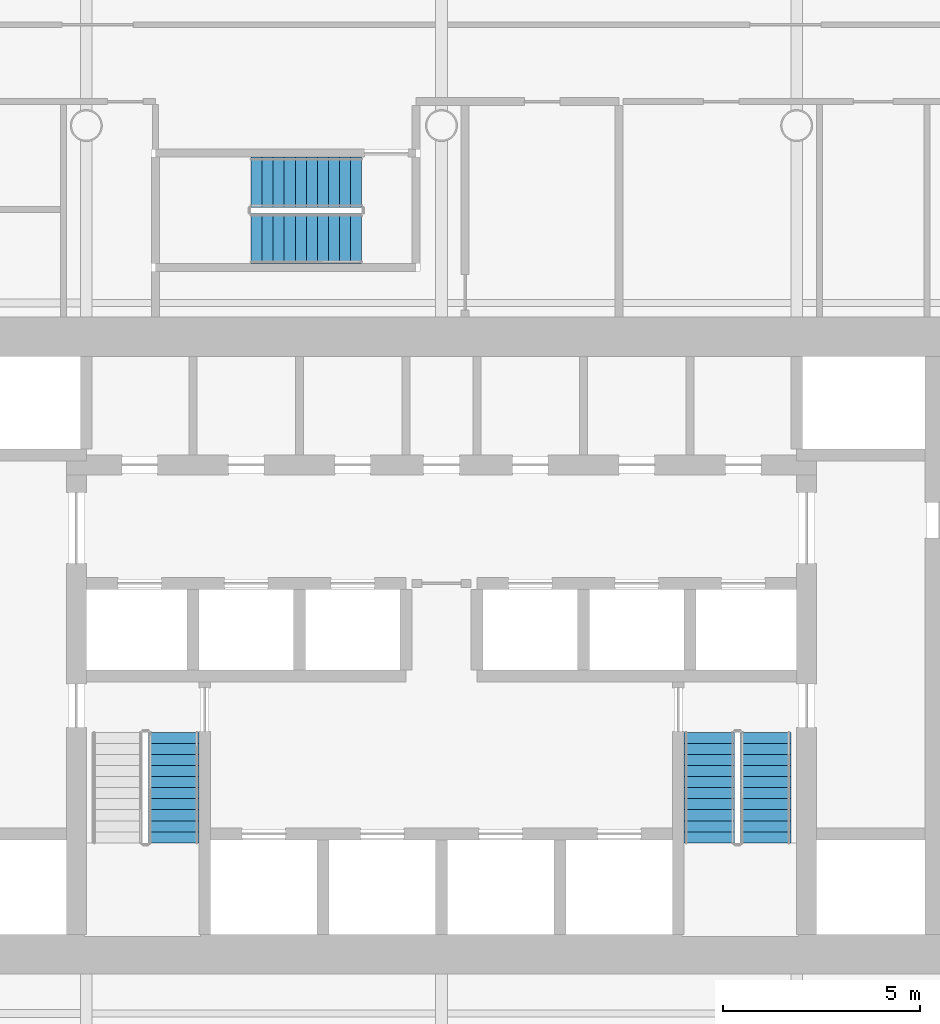
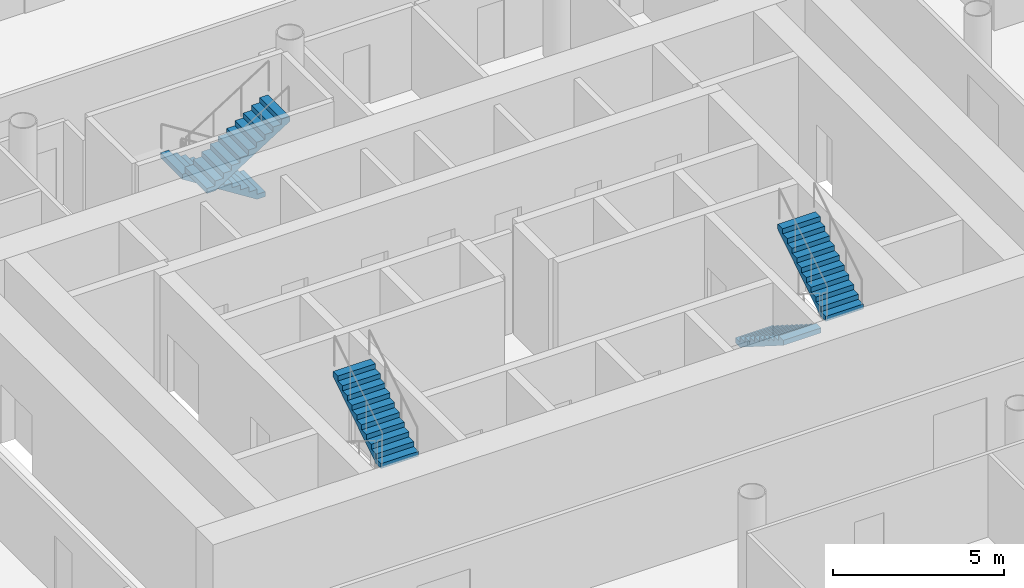
# One storey, part 15 of 20: 5 stair flights, 3 elements without a shape of their own.
"""IFC4 building model written with IfcOpenShell, lengths in metres."""

from ifc_helpers import new_model, si_unit, direction, frame, origin, place, context, subcontext, project, spatial, polyline, outline, extrude, material, type_object, element, aggregate, save


model = new_model("IFC4")

# Units and contexts
model_context = context("Model", 3, precision=1e-05, world=origin(), true_north=direction((0.0, 1.0)))
body_context = subcontext(model_context, "Body", "Model", "MODEL_VIEW")
ifc_project = project(units=[si_unit("LENGTHUNIT", "METRE"), si_unit("AREAUNIT", "SQUARE_METRE"), si_unit("VOLUMEUNIT", "CUBIC_METRE"), si_unit("PLANEANGLEUNIT", "RADIAN"), si_unit("MASSUNIT", "GRAM", prefix="KILO")], contexts=[model_context])

# Site, building, storey
site_placement = place(None, origin())
site = spatial("IfcSite", under=ifc_project, at=site_placement, CompositionType="ELEMENT")
building_placement = place(site_placement, origin())
building = spatial("IfcBuilding", under=site, at=building_placement, Name="Tskaro Facet Tower", CompositionType="ELEMENT")
storey_placement = place(building_placement, frame((0.0, 0.0, 69.89990234375)))
storey = spatial("IfcBuildingStorey", under=building, at=storey_placement, Name="L16", CompositionType="ELEMENT", Elevation=69.89990234375)

# Stair, stair flight
ifc_material = material(Name="Concrete C40/50", Category="concrete")
stair_type = type_object("IfcStairType", Name="ST-TWR", PredefinedType="HALF_TURN_STAIR", material=ifc_material)
stair_1_placement = place(storey_placement, origin())
stair_1 = element("IfcStair", 1, at=stair_1_placement, inside=storey, type_object=stair_type, Name="L16 Exit stair 1", PredefinedType="HALF_TURN_STAIR")
stair_flight_type = type_object("IfcStairFlightType", Name="SFL-RC", PredefinedType="STRAIGHT", material=ifc_material)
stair_flight_1_placement = place(storey_placement, frame((-6.78759765625, -9.175048828125, 1.9501953125), z_axis=(0.0, 0.0, 1.0), x_axis=(0.0, 1.0, 0.0)))
stair_flight_1 = element("IfcStairFlight", 2, at=stair_flight_1_placement, type_object=stair_flight_type, Name="ST-1 flight 2", NumberOfRisers=11, NumberOfTreads=10, PredefinedType="STRAIGHT", RiserHeight=0.177272727, TreadLength=0.28, context=body_context, shape_type="SweptSolid", body=[
    extrude(outline(polyline([(0.0, 0.0), (0.0, 0.17724609375), (0.280029296875, 0.17724609375), (0.280029296875, 0.3544921875), (0.56005859375, 0.3544921875), (0.56005859375, 0.53173828125), (0.840087890625, 0.53173828125), (0.840087890625, 0.708984375), (1.1201171875, 0.708984375), (1.1201171875, 0.886474609375), (1.39990234375, 0.886474609375), (1.39990234375, 1.063720703125), (1.679931640625, 1.063720703125), (1.679931640625, 1.240966796875), (1.9599609375, 1.240966796875), (1.9599609375, 1.418212890625), (2.239990234375, 1.418212890625), (2.239990234375, 1.595458984375), (2.52001953125, 1.595458984375), (2.52001953125, 1.772705078125), (2.800048828125, 1.772705078125), (2.800048828125, 1.949951171875), (2.800048828125, 1.59521484375), (0.2802734375, 0.0), (0.0, 0.0)])), frame((0.0, 0.637451171875, 0.0), z_axis=(0.0, -1.0, 0.0), x_axis=(1.0, 0.0, 0.0)), (0.0, 0.0, 1.0), 1.27490234375),
])
aggregate(stair_1, [stair_flight_1])

# Stair, stair flights
stair_2_placement = place(storey_placement, origin())
stair_2 = element("IfcStair", 3, at=stair_2_placement, inside=storey, type_object=stair_type, Name="L16 Exit stair 2", PredefinedType="HALF_TURN_STAIR")
stair_flight_2_placement = place(storey_placement, frame((6.78759765625, -6.375, 0.0), z_axis=(0.0, 0.0, 1.0), x_axis=(0.0, -1.0, 0.0)))
stair_flight_2 = element("IfcStairFlight", 4, at=stair_flight_2_placement, type_object=stair_flight_type, Name="ST-2 flight 1", NumberOfRisers=11, NumberOfTreads=10, PredefinedType="STRAIGHT", RiserHeight=0.177272727, TreadLength=0.28, context=body_context, shape_type="SweptSolid", body=[
    extrude(outline(polyline([(0.0, 0.0), (0.0, 0.17724609375), (0.280029296875, 0.17724609375), (0.280029296875, 0.3544921875), (0.56005859375, 0.3544921875), (0.56005859375, 0.53173828125), (0.840087890625, 0.53173828125), (0.840087890625, 0.708984375), (1.1201171875, 0.708984375), (1.1201171875, 0.886474609375), (1.39990234375, 0.886474609375), (1.39990234375, 1.063720703125), (1.679931640625, 1.063720703125), (1.679931640625, 1.240966796875), (1.9599609375, 1.240966796875), (1.9599609375, 1.418212890625), (2.239990234375, 1.418212890625), (2.239990234375, 1.595458984375), (2.52001953125, 1.595458984375), (2.52001953125, 1.772705078125), (2.800048828125, 1.772705078125), (2.800048828125, 1.949951171875), (2.800048828125, 1.59521484375), (0.2802734375, 0.0), (0.0, 0.0)])), frame((0.0, 0.637451171875, 0.0), z_axis=(0.0, -1.0, 0.0), x_axis=(1.0, 0.0, 0.0)), (0.0, 0.0, 1.0), 1.27490234375),
])
stair_flight_3_placement = place(storey_placement, frame((8.21240234375, -9.175048828125, 1.9501953125), z_axis=(0.0, 0.0, 1.0), x_axis=(0.0, 1.0, 0.0)))
stair_flight_3 = element("IfcStairFlight", 5, at=stair_flight_3_placement, type_object=stair_flight_type, Name="ST-2 flight 2", NumberOfRisers=11, NumberOfTreads=10, PredefinedType="STRAIGHT", RiserHeight=0.177272727, TreadLength=0.28, context=body_context, shape_type="SweptSolid", body=[
    extrude(outline(polyline([(0.0, 0.0), (0.0, 0.17724609375), (0.280029296875, 0.17724609375), (0.280029296875, 0.3544921875), (0.56005859375, 0.3544921875), (0.56005859375, 0.53173828125), (0.840087890625, 0.53173828125), (0.840087890625, 0.708984375), (1.1201171875, 0.708984375), (1.1201171875, 0.886474609375), (1.39990234375, 0.886474609375), (1.39990234375, 1.063720703125), (1.679931640625, 1.063720703125), (1.679931640625, 1.240966796875), (1.9599609375, 1.240966796875), (1.9599609375, 1.418212890625), (2.239990234375, 1.418212890625), (2.239990234375, 1.595458984375), (2.52001953125, 1.595458984375), (2.52001953125, 1.772705078125), (2.800048828125, 1.772705078125), (2.800048828125, 1.949951171875), (2.800048828125, 1.59521484375), (0.2802734375, 0.0), (0.0, 0.0)])), frame((0.0, 0.637451171875, 0.0), z_axis=(0.0, -1.0, 0.0), x_axis=(1.0, 0.0, 0.0)), (0.0, 0.0, 1.0), 1.27490234375),
])
aggregate(stair_2, [stair_flight_2, stair_flight_3])

stair_3_placement = place(storey_placement, origin())
stair_3 = element("IfcStair", 6, at=stair_3_placement, inside=storey, type_object=stair_type, Name="L16 Exit stair 3", PredefinedType="HALF_TURN_STAIR")
stair_flight_4_placement = place(storey_placement, frame((-2.02490234375, 7.5625, 0.0), z_axis=(0.0, 0.0, 1.0), x_axis=(-1.0, 0.0, 0.0)))
stair_flight_4 = element("IfcStairFlight", 7, at=stair_flight_4_placement, type_object=stair_flight_type, Name="ST-3 flight 1", NumberOfRisers=11, NumberOfTreads=10, PredefinedType="STRAIGHT", RiserHeight=0.177272727, TreadLength=0.28, context=body_context, shape_type="SweptSolid", body=[
    extrude(outline(polyline([(0.0, 0.0), (0.0, 0.17724609375), (0.280029296875, 0.17724609375), (0.280029296875, 0.3544921875), (0.56005859375, 0.3544921875), (0.56005859375, 0.53173828125), (0.840087890625, 0.53173828125), (0.840087890625, 0.708984375), (1.1201171875, 0.708984375), (1.1201171875, 0.886474609375), (1.39990234375, 0.886474609375), (1.39990234375, 1.063720703125), (1.679931640625, 1.063720703125), (1.679931640625, 1.240966796875), (1.9599609375, 1.240966796875), (1.9599609375, 1.418212890625), (2.239990234375, 1.418212890625), (2.239990234375, 1.595458984375), (2.52001953125, 1.595458984375), (2.52001953125, 1.772705078125), (2.800048828125, 1.772705078125), (2.800048828125, 1.949951171875), (2.800048828125, 1.59521484375), (0.2802734375, 0.0), (0.0, 0.0)])), frame((0.0, 0.637451171875, 0.0), z_axis=(0.0, -1.0, 0.0), x_axis=(1.0, 0.0, 0.0)), (0.0, 0.0, 1.0), 1.27490234375),
])
stair_flight_5_placement = place(storey_placement, frame((-4.824951171875, 6.137451171875, 1.9501953125), z_axis=(0.0, 0.0, 1.0), x_axis=(1.0, 0.0, 0.0)))
stair_flight_5 = element("IfcStairFlight", 8, at=stair_flight_5_placement, type_object=stair_flight_type, Name="ST-3 flight 2", NumberOfRisers=11, NumberOfTreads=10, PredefinedType="STRAIGHT", RiserHeight=0.177272727, TreadLength=0.28, context=body_context, shape_type="SweptSolid", body=[
    extrude(outline(polyline([(0.0, 0.0), (0.0, 0.17724609375), (0.280029296875, 0.17724609375), (0.280029296875, 0.3544921875), (0.56005859375, 0.3544921875), (0.56005859375, 0.53173828125), (0.840087890625, 0.53173828125), (0.840087890625, 0.708984375), (1.1201171875, 0.708984375), (1.1201171875, 0.886474609375), (1.39990234375, 0.886474609375), (1.39990234375, 1.063720703125), (1.679931640625, 1.063720703125), (1.679931640625, 1.240966796875), (1.9599609375, 1.240966796875), (1.9599609375, 1.418212890625), (2.239990234375, 1.418212890625), (2.239990234375, 1.595458984375), (2.52001953125, 1.595458984375), (2.52001953125, 1.772705078125), (2.800048828125, 1.772705078125), (2.800048828125, 1.949951171875), (2.800048828125, 1.59521484375), (0.2802734375, 0.0), (0.0, 0.0)])), frame((0.0, 0.637451171875, 0.0), z_axis=(0.0, -1.0, 0.0), x_axis=(1.0, 0.0, 0.0)), (0.0, 0.0, 1.0), 1.27490234375),
])
aggregate(stair_3, [stair_flight_4, stair_flight_5])

save(model, "model.ifc")
